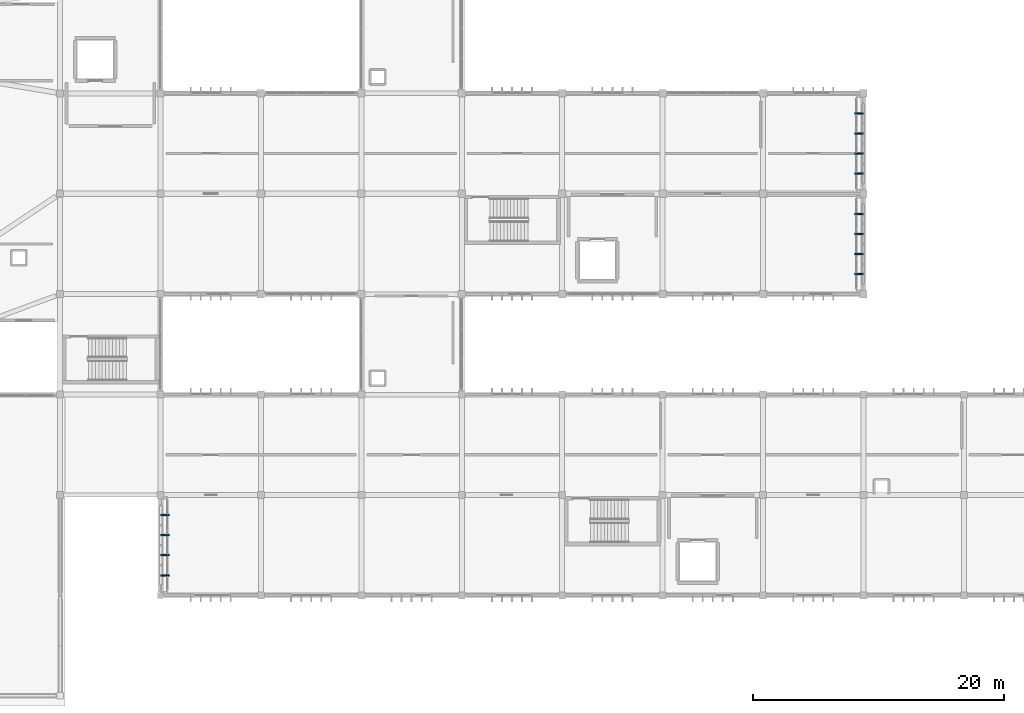
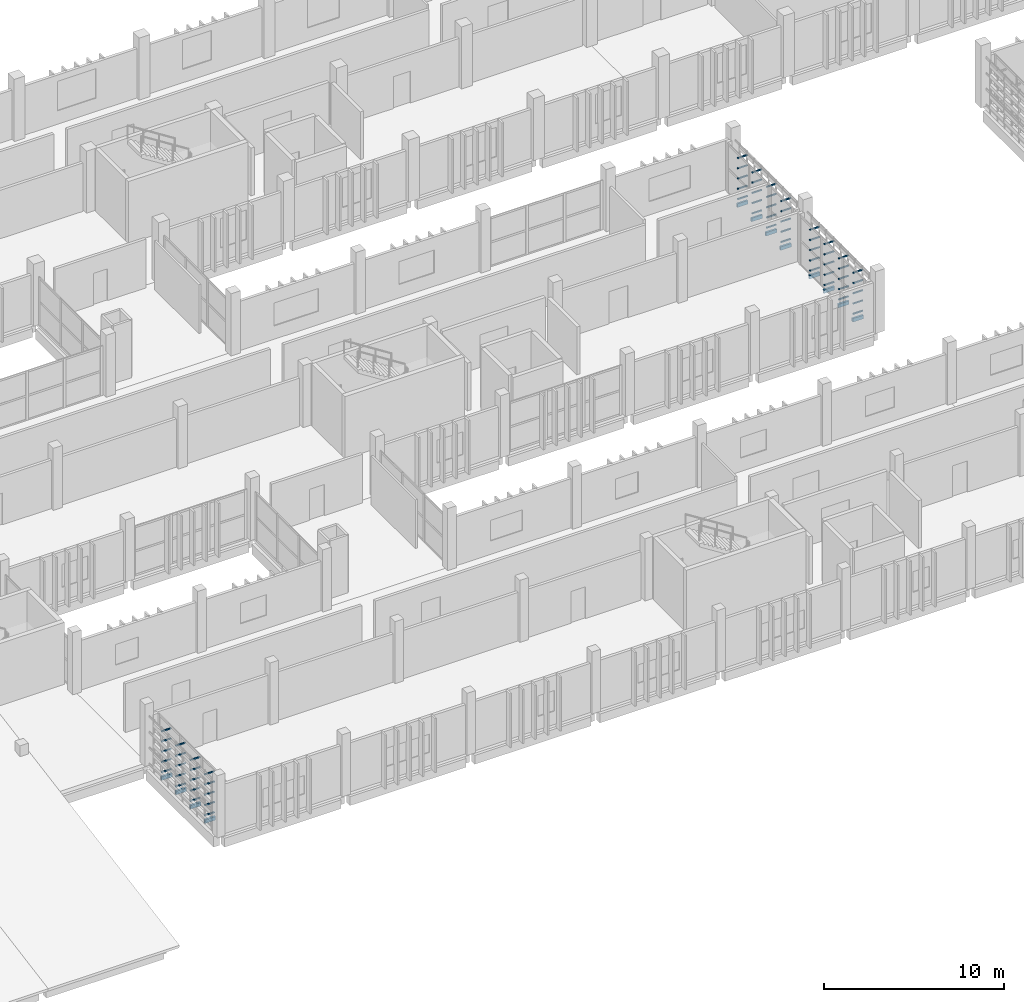
# One storey, part 76 of 83: 72 discrete accessories.
"""IFC4 building model written with IfcOpenShell, lengths in metres."""

from ifc_helpers import new_model, si_unit, direction, frame, origin, origin_2d, place, context, subcontext, project, spatial, rectangle, extrude, material, type_object, element, save


model = new_model("IFC4")

# Units and contexts
model_context = context("Model", 3, precision=1e-05, world=origin(), true_north=direction((0.0, 1.0)))
body_context = subcontext(model_context, "Body", "Model", "MODEL_VIEW")
ifc_project = project(units=[si_unit("LENGTHUNIT", "METRE"), si_unit("AREAUNIT", "SQUARE_METRE"), si_unit("VOLUMEUNIT", "CUBIC_METRE"), si_unit("PLANEANGLEUNIT", "RADIAN"), si_unit("MASSUNIT", "GRAM", prefix="KILO")], contexts=[model_context])

# Site, building, storey
site_placement = place(None, origin())
site = spatial("IfcSite", under=ifc_project, at=site_placement, CompositionType="ELEMENT")
building_placement = place(site_placement, origin())
building = spatial("IfcBuilding", under=site, at=building_placement, Name="Jelvoka-Kovrelna Polytechnic", CompositionType="ELEMENT")
storey_placement = place(building_placement, frame((0.0, 0.0, 13.800048828125)))
storey = spatial("IfcBuildingStorey", under=building, at=storey_placement, Name="L04", CompositionType="ELEMENT", Elevation=13.800048828125)

# Discrete accessories
ifc_material = material(Name="Structural steel S355JR", Category="steel")
discrete_accessory_type = type_object("IfcDiscreteAccessoryType", Name="Bracket_Outrigger_S355", PredefinedType="BRACKET", material=ifc_material)
discrete_accessory_1_placement = place(storey_placement, frame((56.320068359375, 9.60009765625, 0.280029296875), z_axis=(0.0, 0.0, 1.0), x_axis=(1.0, 0.0, 0.0)))
element("IfcDiscreteAccessory", 1, at=discrete_accessory_1_placement, inside=storey, type_object=discrete_accessory_type, Name="L04 screen outrigger tie bracket BRKM-PLT-SCR-0061", PredefinedType="BRACKET", context=body_context, shape_type="SweptSolid", body=[
    extrude(rectangle(XDim=0.639892578125, YDim=0.080078125, at=origin_2d()), origin(), (0.0, 0.0, 1.0), 0.080078125),
])
discrete_accessory_2_placement = place(storey_placement, frame((56.340087890625, 9.60009765625, -0.199951171875), z_axis=(0.0, 0.0, 1.0), x_axis=(1.0, 0.0, 0.0)))
element("IfcDiscreteAccessory", 2, at=discrete_accessory_2_placement, inside=storey, type_object=discrete_accessory_type, Name="L04 screen outrigger tie bracket BRK-PLT-SCR-0061", PredefinedType="BRACKET", context=body_context, shape_type="SweptSolid", body=[
    extrude(rectangle(XDim=0.679931640625, YDim=0.1201171875, at=origin_2d()), origin(), (0.0, 0.0, 1.0), 0.239990234375),
])
for number, where, z_axis, x_axis, name in (
    (3, (56.320068359375, 9.60009765625, 0.972412109375), (0.0, 0.0, 1.0), (1.0, 0.0, 0.0), "L04 screen outrigger tie bracket BRKM-PLT-SCR-0062"),
    (4, (56.320068359375, 9.60009765625, 1.664794921875), (0.0, 0.0, 1.0), (1.0, 0.0, 0.0), "L04 screen outrigger tie bracket BRKM-PLT-SCR-0063"),
    (5, (56.320068359375, 9.60009765625, 2.357421875), (0.0, 0.0, 1.0), (1.0, 0.0, 0.0), "L04 screen outrigger tie bracket BRKM-PLT-SCR-0064"),
    (6, (56.320068359375, 9.60009765625, 3.0498046875), (0.0, 0.0, 1.0), (1.0, 0.0, 0.0), "L04 screen outrigger tie bracket BRKM-PLT-SCR-0065"),
    (7, (56.320068359375, 11.199951171875, 0.280029296875), (0.0, 0.0, 1.0), (1.0, 0.0, 0.0), "L04 screen outrigger tie bracket BRKM-PLT-SCR-0066"),
):
    element("IfcDiscreteAccessory", number, at=place(storey_placement, frame(where, z_axis=z_axis, x_axis=x_axis)), inside=storey, type_object=discrete_accessory_type, Name=name, PredefinedType="BRACKET", context=body_context, shape_type="SweptSolid", body=[
        extrude(rectangle(XDim=0.639892578125, YDim=0.080078125, at=origin_2d()), origin(), (0.0, 0.0, 1.0), 0.080078125),
    ])
discrete_accessory_3_placement = place(storey_placement, frame((56.340087890625, 11.199951171875, -0.199951171875), z_axis=(0.0, 0.0, 1.0), x_axis=(1.0, 0.0, 0.0)))
element("IfcDiscreteAccessory", 8, at=discrete_accessory_3_placement, inside=storey, type_object=discrete_accessory_type, Name="L04 screen outrigger tie bracket BRK-PLT-SCR-0066", PredefinedType="BRACKET", context=body_context, shape_type="SweptSolid", body=[
    extrude(rectangle(XDim=0.679931640625, YDim=0.1201171875, at=origin_2d()), origin(), (0.0, 0.0, 1.0), 0.239990234375),
])
for number, where, z_axis, x_axis, name in (
    (9, (56.320068359375, 11.199951171875, 0.972412109375), (0.0, 0.0, 1.0), (1.0, 0.0, 0.0), "L04 screen outrigger tie bracket BRKM-PLT-SCR-0067"),
    (10, (56.320068359375, 11.199951171875, 1.664794921875), (0.0, 0.0, 1.0), (1.0, 0.0, 0.0), "L04 screen outrigger tie bracket BRKM-PLT-SCR-0068"),
    (11, (56.320068359375, 11.199951171875, 2.357421875), (0.0, 0.0, 1.0), (1.0, 0.0, 0.0), "L04 screen outrigger tie bracket BRKM-PLT-SCR-0069"),
    (12, (56.320068359375, 11.199951171875, 3.0498046875), (0.0, 0.0, 1.0), (1.0, 0.0, 0.0), "L04 screen outrigger tie bracket BRKM-PLT-SCR-0070"),
    (13, (56.320068359375, 12.800048828125, 0.280029296875), (0.0, 0.0, 1.0), (1.0, 0.0, 0.0), "L04 screen outrigger tie bracket BRKM-PLT-SCR-0071"),
):
    element("IfcDiscreteAccessory", number, at=place(storey_placement, frame(where, z_axis=z_axis, x_axis=x_axis)), inside=storey, type_object=discrete_accessory_type, Name=name, PredefinedType="BRACKET", context=body_context, shape_type="SweptSolid", body=[
        extrude(rectangle(XDim=0.639892578125, YDim=0.080078125, at=origin_2d()), origin(), (0.0, 0.0, 1.0), 0.080078125),
    ])
discrete_accessory_4_placement = place(storey_placement, frame((56.340087890625, 12.800048828125, -0.199951171875), z_axis=(0.0, 0.0, 1.0), x_axis=(1.0, 0.0, 0.0)))
element("IfcDiscreteAccessory", 14, at=discrete_accessory_4_placement, inside=storey, type_object=discrete_accessory_type, Name="L04 screen outrigger tie bracket BRK-PLT-SCR-0071", PredefinedType="BRACKET", context=body_context, shape_type="SweptSolid", body=[
    extrude(rectangle(XDim=0.679931640625, YDim=0.1201171875, at=origin_2d()), origin(), (0.0, 0.0, 1.0), 0.239990234375),
])
for number, where, z_axis, x_axis, name in (
    (15, (56.320068359375, 12.800048828125, 0.972412109375), (0.0, 0.0, 1.0), (1.0, 0.0, 0.0), "L04 screen outrigger tie bracket BRKM-PLT-SCR-0072"),
    (16, (56.320068359375, 12.800048828125, 1.664794921875), (0.0, 0.0, 1.0), (1.0, 0.0, 0.0), "L04 screen outrigger tie bracket BRKM-PLT-SCR-0073"),
    (17, (56.320068359375, 12.800048828125, 2.357421875), (0.0, 0.0, 1.0), (1.0, 0.0, 0.0), "L04 screen outrigger tie bracket BRKM-PLT-SCR-0074"),
    (18, (56.320068359375, 12.800048828125, 3.0498046875), (0.0, 0.0, 1.0), (1.0, 0.0, 0.0), "L04 screen outrigger tie bracket BRKM-PLT-SCR-0075"),
    (19, (56.320068359375, 14.39990234375, 0.280029296875), (0.0, 0.0, 1.0), (1.0, 0.0, 0.0), "L04 screen outrigger tie bracket BRKM-PLT-SCR-0076"),
):
    element("IfcDiscreteAccessory", number, at=place(storey_placement, frame(where, z_axis=z_axis, x_axis=x_axis)), inside=storey, type_object=discrete_accessory_type, Name=name, PredefinedType="BRACKET", context=body_context, shape_type="SweptSolid", body=[
        extrude(rectangle(XDim=0.639892578125, YDim=0.080078125, at=origin_2d()), origin(), (0.0, 0.0, 1.0), 0.080078125),
    ])
discrete_accessory_5_placement = place(storey_placement, frame((56.340087890625, 14.39990234375, -0.199951171875), z_axis=(0.0, 0.0, 1.0), x_axis=(1.0, 0.0, 0.0)))
element("IfcDiscreteAccessory", 20, at=discrete_accessory_5_placement, inside=storey, type_object=discrete_accessory_type, Name="L04 screen outrigger tie bracket BRK-PLT-SCR-0076", PredefinedType="BRACKET", context=body_context, shape_type="SweptSolid", body=[
    extrude(rectangle(XDim=0.679931640625, YDim=0.1201171875, at=origin_2d()), origin(), (0.0, 0.0, 1.0), 0.239990234375),
])
for number, where, z_axis, x_axis, name in (
    (21, (56.320068359375, 14.39990234375, 0.972412109375), (0.0, 0.0, 1.0), (1.0, 0.0, 0.0), "L04 screen outrigger tie bracket BRKM-PLT-SCR-0077"),
    (22, (56.320068359375, 14.39990234375, 1.664794921875), (0.0, 0.0, 1.0), (1.0, 0.0, 0.0), "L04 screen outrigger tie bracket BRKM-PLT-SCR-0078"),
    (23, (56.320068359375, 14.39990234375, 2.357421875), (0.0, 0.0, 1.0), (1.0, 0.0, 0.0), "L04 screen outrigger tie bracket BRKM-PLT-SCR-0079"),
    (24, (56.320068359375, 14.39990234375, 3.0498046875), (0.0, 0.0, 1.0), (1.0, 0.0, 0.0), "L04 screen outrigger tie bracket BRKM-PLT-SCR-0080"),
    (25, (111.679931640625, 33.60009765625, 0.280029296875), (0.0, 0.0, 1.0), (1.0, 0.0, 0.0), "L04 screen outrigger tie bracket BRKM-PLT-SCR-0281"),
):
    element("IfcDiscreteAccessory", number, at=place(storey_placement, frame(where, z_axis=z_axis, x_axis=x_axis)), inside=storey, type_object=discrete_accessory_type, Name=name, PredefinedType="BRACKET", context=body_context, shape_type="SweptSolid", body=[
        extrude(rectangle(XDim=0.639892578125, YDim=0.080078125, at=origin_2d()), origin(), (0.0, 0.0, 1.0), 0.080078125),
    ])
discrete_accessory_6_placement = place(storey_placement, frame((111.659912109375, 33.60009765625, -0.199951171875), z_axis=(0.0, 0.0, 1.0), x_axis=(1.0, 0.0, 0.0)))
element("IfcDiscreteAccessory", 26, at=discrete_accessory_6_placement, inside=storey, type_object=discrete_accessory_type, Name="L04 screen outrigger tie bracket BRK-PLT-SCR-0281", PredefinedType="BRACKET", context=body_context, shape_type="SweptSolid", body=[
    extrude(rectangle(XDim=0.679931640625, YDim=0.1201171875, at=origin_2d()), origin(), (0.0, 0.0, 1.0), 0.239990234375),
])
for number, where, z_axis, x_axis, name in (
    (27, (111.679931640625, 33.60009765625, 0.972412109375), (0.0, 0.0, 1.0), (1.0, 0.0, 0.0), "L04 screen outrigger tie bracket BRKM-PLT-SCR-0282"),
    (28, (111.679931640625, 33.60009765625, 1.664794921875), (0.0, 0.0, 1.0), (1.0, 0.0, 0.0), "L04 screen outrigger tie bracket BRKM-PLT-SCR-0283"),
    (29, (111.679931640625, 33.60009765625, 2.357421875), (0.0, 0.0, 1.0), (1.0, 0.0, 0.0), "L04 screen outrigger tie bracket BRKM-PLT-SCR-0284"),
    (30, (111.679931640625, 33.60009765625, 3.0498046875), (0.0, 0.0, 1.0), (1.0, 0.0, 0.0), "L04 screen outrigger tie bracket BRKM-PLT-SCR-0285"),
    (31, (111.679931640625, 35.199951171875, 0.280029296875), (0.0, 0.0, 1.0), (1.0, 0.0, 0.0), "L04 screen outrigger tie bracket BRKM-PLT-SCR-0286"),
):
    element("IfcDiscreteAccessory", number, at=place(storey_placement, frame(where, z_axis=z_axis, x_axis=x_axis)), inside=storey, type_object=discrete_accessory_type, Name=name, PredefinedType="BRACKET", context=body_context, shape_type="SweptSolid", body=[
        extrude(rectangle(XDim=0.639892578125, YDim=0.080078125, at=origin_2d()), origin(), (0.0, 0.0, 1.0), 0.080078125),
    ])
discrete_accessory_7_placement = place(storey_placement, frame((111.659912109375, 35.199951171875, -0.199951171875), z_axis=(0.0, 0.0, 1.0), x_axis=(1.0, 0.0, 0.0)))
element("IfcDiscreteAccessory", 32, at=discrete_accessory_7_placement, inside=storey, type_object=discrete_accessory_type, Name="L04 screen outrigger tie bracket BRK-PLT-SCR-0286", PredefinedType="BRACKET", context=body_context, shape_type="SweptSolid", body=[
    extrude(rectangle(XDim=0.679931640625, YDim=0.1201171875, at=origin_2d()), origin(), (0.0, 0.0, 1.0), 0.239990234375),
])
for number, where, z_axis, x_axis, name in (
    (33, (111.679931640625, 35.199951171875, 0.972412109375), (0.0, 0.0, 1.0), (1.0, 0.0, 0.0), "L04 screen outrigger tie bracket BRKM-PLT-SCR-0287"),
    (34, (111.679931640625, 35.199951171875, 1.664794921875), (0.0, 0.0, 1.0), (1.0, 0.0, 0.0), "L04 screen outrigger tie bracket BRKM-PLT-SCR-0288"),
    (35, (111.679931640625, 35.199951171875, 2.357421875), (0.0, 0.0, 1.0), (1.0, 0.0, 0.0), "L04 screen outrigger tie bracket BRKM-PLT-SCR-0289"),
    (36, (111.679931640625, 35.199951171875, 3.0498046875), (0.0, 0.0, 1.0), (1.0, 0.0, 0.0), "L04 screen outrigger tie bracket BRKM-PLT-SCR-0290"),
    (37, (111.679931640625, 36.800048828125, 0.280029296875), (0.0, 0.0, 1.0), (1.0, 0.0, 0.0), "L04 screen outrigger tie bracket BRKM-PLT-SCR-0291"),
):
    element("IfcDiscreteAccessory", number, at=place(storey_placement, frame(where, z_axis=z_axis, x_axis=x_axis)), inside=storey, type_object=discrete_accessory_type, Name=name, PredefinedType="BRACKET", context=body_context, shape_type="SweptSolid", body=[
        extrude(rectangle(XDim=0.639892578125, YDim=0.080078125, at=origin_2d()), origin(), (0.0, 0.0, 1.0), 0.080078125),
    ])
discrete_accessory_8_placement = place(storey_placement, frame((111.659912109375, 36.800048828125, -0.199951171875), z_axis=(0.0, 0.0, 1.0), x_axis=(1.0, 0.0, 0.0)))
element("IfcDiscreteAccessory", 38, at=discrete_accessory_8_placement, inside=storey, type_object=discrete_accessory_type, Name="L04 screen outrigger tie bracket BRK-PLT-SCR-0291", PredefinedType="BRACKET", context=body_context, shape_type="SweptSolid", body=[
    extrude(rectangle(XDim=0.679931640625, YDim=0.1201171875, at=origin_2d()), origin(), (0.0, 0.0, 1.0), 0.239990234375),
])
for number, where, z_axis, x_axis, name in (
    (39, (111.679931640625, 36.800048828125, 0.972412109375), (0.0, 0.0, 1.0), (1.0, 0.0, 0.0), "L04 screen outrigger tie bracket BRKM-PLT-SCR-0292"),
    (40, (111.679931640625, 36.800048828125, 1.664794921875), (0.0, 0.0, 1.0), (1.0, 0.0, 0.0), "L04 screen outrigger tie bracket BRKM-PLT-SCR-0293"),
    (41, (111.679931640625, 36.800048828125, 2.357421875), (0.0, 0.0, 1.0), (1.0, 0.0, 0.0), "L04 screen outrigger tie bracket BRKM-PLT-SCR-0294"),
    (42, (111.679931640625, 36.800048828125, 3.0498046875), (0.0, 0.0, 1.0), (1.0, 0.0, 0.0), "L04 screen outrigger tie bracket BRKM-PLT-SCR-0295"),
    (43, (111.679931640625, 38.39990234375, 0.280029296875), (0.0, 0.0, 1.0), (1.0, 0.0, 0.0), "L04 screen outrigger tie bracket BRKM-PLT-SCR-0296"),
):
    element("IfcDiscreteAccessory", number, at=place(storey_placement, frame(where, z_axis=z_axis, x_axis=x_axis)), inside=storey, type_object=discrete_accessory_type, Name=name, PredefinedType="BRACKET", context=body_context, shape_type="SweptSolid", body=[
        extrude(rectangle(XDim=0.639892578125, YDim=0.080078125, at=origin_2d()), origin(), (0.0, 0.0, 1.0), 0.080078125),
    ])
discrete_accessory_9_placement = place(storey_placement, frame((111.659912109375, 38.39990234375, -0.199951171875), z_axis=(0.0, 0.0, 1.0), x_axis=(1.0, 0.0, 0.0)))
element("IfcDiscreteAccessory", 44, at=discrete_accessory_9_placement, inside=storey, type_object=discrete_accessory_type, Name="L04 screen outrigger tie bracket BRK-PLT-SCR-0296", PredefinedType="BRACKET", context=body_context, shape_type="SweptSolid", body=[
    extrude(rectangle(XDim=0.679931640625, YDim=0.1201171875, at=origin_2d()), origin(), (0.0, 0.0, 1.0), 0.239990234375),
])
for number, where, z_axis, x_axis, name in (
    (45, (111.679931640625, 38.39990234375, 0.972412109375), (0.0, 0.0, 1.0), (1.0, 0.0, 0.0), "L04 screen outrigger tie bracket BRKM-PLT-SCR-0297"),
    (46, (111.679931640625, 38.39990234375, 1.664794921875), (0.0, 0.0, 1.0), (1.0, 0.0, 0.0), "L04 screen outrigger tie bracket BRKM-PLT-SCR-0298"),
    (47, (111.679931640625, 38.39990234375, 2.357421875), (0.0, 0.0, 1.0), (1.0, 0.0, 0.0), "L04 screen outrigger tie bracket BRKM-PLT-SCR-0299"),
    (48, (111.679931640625, 38.39990234375, 3.0498046875), (0.0, 0.0, 1.0), (1.0, 0.0, 0.0), "L04 screen outrigger tie bracket BRKM-PLT-SCR-0300"),
    (49, (111.679931640625, 41.60009765625, 0.280029296875), (0.0, 0.0, 1.0), (1.0, 0.0, 0.0), "L04 screen outrigger tie bracket BRKM-PLT-SCR-0301"),
):
    element("IfcDiscreteAccessory", number, at=place(storey_placement, frame(where, z_axis=z_axis, x_axis=x_axis)), inside=storey, type_object=discrete_accessory_type, Name=name, PredefinedType="BRACKET", context=body_context, shape_type="SweptSolid", body=[
        extrude(rectangle(XDim=0.639892578125, YDim=0.080078125, at=origin_2d()), origin(), (0.0, 0.0, 1.0), 0.080078125),
    ])
discrete_accessory_10_placement = place(storey_placement, frame((111.659912109375, 41.60009765625, -0.199951171875), z_axis=(0.0, 0.0, 1.0), x_axis=(1.0, 0.0, 0.0)))
element("IfcDiscreteAccessory", 50, at=discrete_accessory_10_placement, inside=storey, type_object=discrete_accessory_type, Name="L04 screen outrigger tie bracket BRK-PLT-SCR-0301", PredefinedType="BRACKET", context=body_context, shape_type="SweptSolid", body=[
    extrude(rectangle(XDim=0.679931640625, YDim=0.1201171875, at=origin_2d()), origin(), (0.0, 0.0, 1.0), 0.239990234375),
])
for number, where, z_axis, x_axis, name in (
    (51, (111.679931640625, 41.60009765625, 0.972412109375), (0.0, 0.0, 1.0), (1.0, 0.0, 0.0), "L04 screen outrigger tie bracket BRKM-PLT-SCR-0302"),
    (52, (111.679931640625, 41.60009765625, 1.664794921875), (0.0, 0.0, 1.0), (1.0, 0.0, 0.0), "L04 screen outrigger tie bracket BRKM-PLT-SCR-0303"),
    (53, (111.679931640625, 41.60009765625, 2.357421875), (0.0, 0.0, 1.0), (1.0, 0.0, 0.0), "L04 screen outrigger tie bracket BRKM-PLT-SCR-0304"),
    (54, (111.679931640625, 41.60009765625, 3.0498046875), (0.0, 0.0, 1.0), (1.0, 0.0, 0.0), "L04 screen outrigger tie bracket BRKM-PLT-SCR-0305"),
    (55, (111.679931640625, 43.199951171875, 0.280029296875), (0.0, 0.0, 1.0), (1.0, 0.0, 0.0), "L04 screen outrigger tie bracket BRKM-PLT-SCR-0306"),
):
    element("IfcDiscreteAccessory", number, at=place(storey_placement, frame(where, z_axis=z_axis, x_axis=x_axis)), inside=storey, type_object=discrete_accessory_type, Name=name, PredefinedType="BRACKET", context=body_context, shape_type="SweptSolid", body=[
        extrude(rectangle(XDim=0.639892578125, YDim=0.080078125, at=origin_2d()), origin(), (0.0, 0.0, 1.0), 0.080078125),
    ])
discrete_accessory_11_placement = place(storey_placement, frame((111.659912109375, 43.199951171875, -0.199951171875), z_axis=(0.0, 0.0, 1.0), x_axis=(1.0, 0.0, 0.0)))
element("IfcDiscreteAccessory", 56, at=discrete_accessory_11_placement, inside=storey, type_object=discrete_accessory_type, Name="L04 screen outrigger tie bracket BRK-PLT-SCR-0306", PredefinedType="BRACKET", context=body_context, shape_type="SweptSolid", body=[
    extrude(rectangle(XDim=0.679931640625, YDim=0.1201171875, at=origin_2d()), origin(), (0.0, 0.0, 1.0), 0.239990234375),
])
for number, where, z_axis, x_axis, name in (
    (57, (111.679931640625, 43.199951171875, 0.972412109375), (0.0, 0.0, 1.0), (1.0, 0.0, 0.0), "L04 screen outrigger tie bracket BRKM-PLT-SCR-0307"),
    (58, (111.679931640625, 43.199951171875, 1.664794921875), (0.0, 0.0, 1.0), (1.0, 0.0, 0.0), "L04 screen outrigger tie bracket BRKM-PLT-SCR-0308"),
    (59, (111.679931640625, 43.199951171875, 2.357421875), (0.0, 0.0, 1.0), (1.0, 0.0, 0.0), "L04 screen outrigger tie bracket BRKM-PLT-SCR-0309"),
    (60, (111.679931640625, 43.199951171875, 3.0498046875), (0.0, 0.0, 1.0), (1.0, 0.0, 0.0), "L04 screen outrigger tie bracket BRKM-PLT-SCR-0310"),
    (61, (111.679931640625, 44.800048828125, 0.280029296875), (0.0, 0.0, 1.0), (1.0, 0.0, 0.0), "L04 screen outrigger tie bracket BRKM-PLT-SCR-0311"),
):
    element("IfcDiscreteAccessory", number, at=place(storey_placement, frame(where, z_axis=z_axis, x_axis=x_axis)), inside=storey, type_object=discrete_accessory_type, Name=name, PredefinedType="BRACKET", context=body_context, shape_type="SweptSolid", body=[
        extrude(rectangle(XDim=0.639892578125, YDim=0.080078125, at=origin_2d()), origin(), (0.0, 0.0, 1.0), 0.080078125),
    ])
discrete_accessory_12_placement = place(storey_placement, frame((111.659912109375, 44.800048828125, -0.199951171875), z_axis=(0.0, 0.0, 1.0), x_axis=(1.0, 0.0, 0.0)))
element("IfcDiscreteAccessory", 62, at=discrete_accessory_12_placement, inside=storey, type_object=discrete_accessory_type, Name="L04 screen outrigger tie bracket BRK-PLT-SCR-0311", PredefinedType="BRACKET", context=body_context, shape_type="SweptSolid", body=[
    extrude(rectangle(XDim=0.679931640625, YDim=0.1201171875, at=origin_2d()), origin(), (0.0, 0.0, 1.0), 0.239990234375),
])
for number, where, z_axis, x_axis, name in (
    (63, (111.679931640625, 44.800048828125, 0.972412109375), (0.0, 0.0, 1.0), (1.0, 0.0, 0.0), "L04 screen outrigger tie bracket BRKM-PLT-SCR-0312"),
    (64, (111.679931640625, 44.800048828125, 1.664794921875), (0.0, 0.0, 1.0), (1.0, 0.0, 0.0), "L04 screen outrigger tie bracket BRKM-PLT-SCR-0313"),
    (65, (111.679931640625, 44.800048828125, 2.357421875), (0.0, 0.0, 1.0), (1.0, 0.0, 0.0), "L04 screen outrigger tie bracket BRKM-PLT-SCR-0314"),
    (66, (111.679931640625, 44.800048828125, 3.0498046875), (0.0, 0.0, 1.0), (1.0, 0.0, 0.0), "L04 screen outrigger tie bracket BRKM-PLT-SCR-0315"),
    (67, (111.679931640625, 46.39990234375, 0.280029296875), (0.0, 0.0, 1.0), (1.0, 0.0, 0.0), "L04 screen outrigger tie bracket BRKM-PLT-SCR-0316"),
):
    element("IfcDiscreteAccessory", number, at=place(storey_placement, frame(where, z_axis=z_axis, x_axis=x_axis)), inside=storey, type_object=discrete_accessory_type, Name=name, PredefinedType="BRACKET", context=body_context, shape_type="SweptSolid", body=[
        extrude(rectangle(XDim=0.639892578125, YDim=0.080078125, at=origin_2d()), origin(), (0.0, 0.0, 1.0), 0.080078125),
    ])
discrete_accessory_13_placement = place(storey_placement, frame((111.659912109375, 46.39990234375, -0.199951171875), z_axis=(0.0, 0.0, 1.0), x_axis=(1.0, 0.0, 0.0)))
element("IfcDiscreteAccessory", 68, at=discrete_accessory_13_placement, inside=storey, type_object=discrete_accessory_type, Name="L04 screen outrigger tie bracket BRK-PLT-SCR-0316", PredefinedType="BRACKET", context=body_context, shape_type="SweptSolid", body=[
    extrude(rectangle(XDim=0.679931640625, YDim=0.1201171875, at=origin_2d()), origin(), (0.0, 0.0, 1.0), 0.239990234375),
])
for number, where, z_axis, x_axis, name in (
    (69, (111.679931640625, 46.39990234375, 0.972412109375), (0.0, 0.0, 1.0), (1.0, 0.0, 0.0), "L04 screen outrigger tie bracket BRKM-PLT-SCR-0317"),
    (70, (111.679931640625, 46.39990234375, 1.664794921875), (0.0, 0.0, 1.0), (1.0, 0.0, 0.0), "L04 screen outrigger tie bracket BRKM-PLT-SCR-0318"),
    (71, (111.679931640625, 46.39990234375, 2.357421875), (0.0, 0.0, 1.0), (1.0, 0.0, 0.0), "L04 screen outrigger tie bracket BRKM-PLT-SCR-0319"),
    (72, (111.679931640625, 46.39990234375, 3.0498046875), (0.0, 0.0, 1.0), (1.0, 0.0, 0.0), "L04 screen outrigger tie bracket BRKM-PLT-SCR-0320"),
):
    element("IfcDiscreteAccessory", number, at=place(storey_placement, frame(where, z_axis=z_axis, x_axis=x_axis)), inside=storey, type_object=discrete_accessory_type, Name=name, PredefinedType="BRACKET", context=body_context, shape_type="SweptSolid", body=[
        extrude(rectangle(XDim=0.639892578125, YDim=0.080078125, at=origin_2d()), origin(), (0.0, 0.0, 1.0), 0.080078125),
    ])

save(model, "model.ifc")
